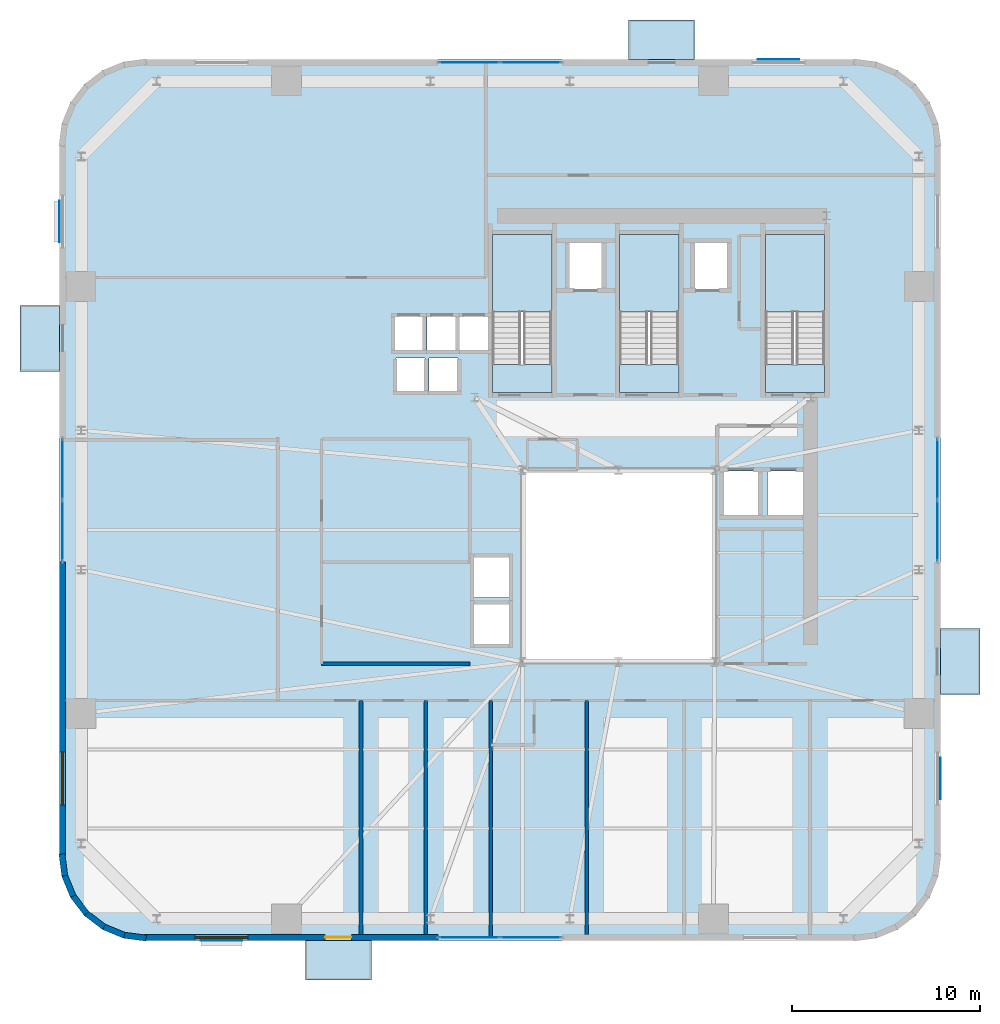
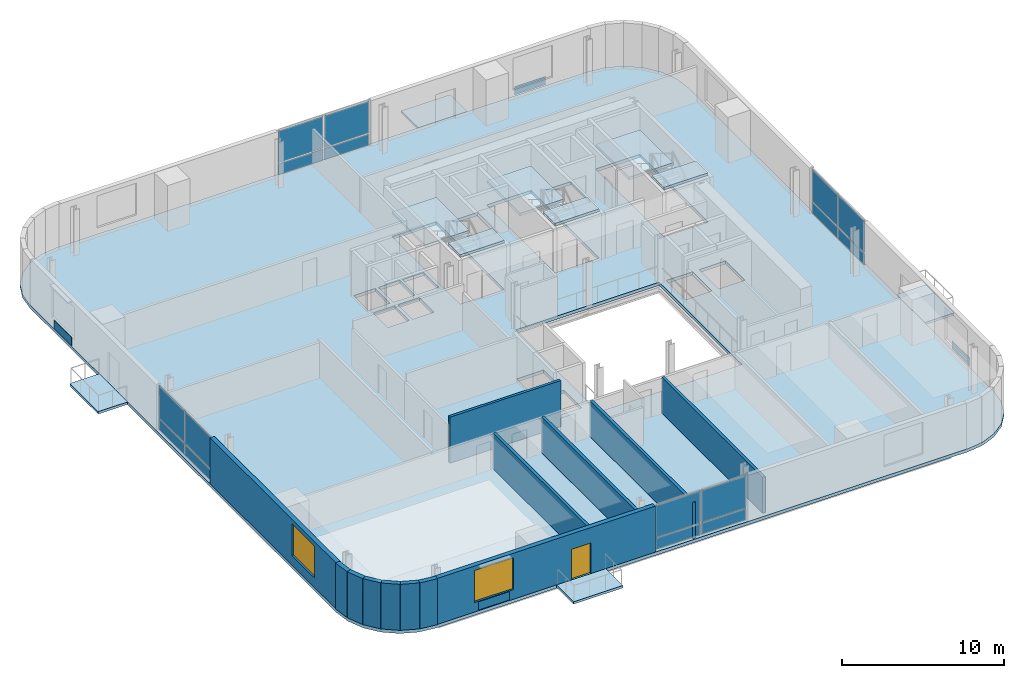
# One storey, part 5 of 14: 20 plates, 13 walls, 11 slabs, 2 windows, 1 door, 3 openings, 7 elements without a shape of their own.
"""IFC4 building model written with IfcOpenShell, lengths in metres."""

from ifc_helpers import new_model, si_unit, direction, frame, frame_2d, origin, origin_2d, place, context, subcontext, project, spatial, polyline, rectangle, outline, extrude, source, transform, mapped, material, layer, layer_set, type_object, element, fill, aggregate, save


model = new_model("IFC4")

# Units and contexts
model_context = context("Model", 3, precision=1e-05, world=origin(), true_north=direction((0.0, 1.0)))
body_context = subcontext(model_context, "Body", "Model", "MODEL_VIEW")
ifc_project = project(units=[si_unit("LENGTHUNIT", "METRE"), si_unit("AREAUNIT", "SQUARE_METRE"), si_unit("VOLUMEUNIT", "CUBIC_METRE"), si_unit("PLANEANGLEUNIT", "RADIAN"), si_unit("MASSUNIT", "GRAM", prefix="KILO")], contexts=[model_context])

# Site, building, storey
site_placement = place(None, origin())
site = spatial("IfcSite", under=ifc_project, at=site_placement, CompositionType="ELEMENT")
building_placement = place(site_placement, origin())
building = spatial("IfcBuilding", under=site, at=building_placement, Name="Vardaveli Station Tower", CompositionType="ELEMENT")
storey_placement = place(building_placement, frame((0.0, 0.0, 111.300048828125)))
storey = spatial("IfcBuildingStorey", under=building, at=storey_placement, Name="L28", CompositionType="ELEMENT", Elevation=111.300048828125)

# Stair, slabs
ifc_material_1 = material(Name="Concrete C40/50", Category="concrete")
stair_type = type_object("IfcStairType", Name="STR-CORE-1500", PredefinedType="HALF_TURN_STAIR", material=ifc_material_1)
stair_1_placement = place(storey_placement, origin())
stair_1 = element("IfcStair", 1, at=stair_1_placement, inside=storey, type_object=stair_type, Name="L28 ST-1", PredefinedType="HALF_TURN_STAIR")
ifc_layer_1 = layer(ifc_material_1, 0.199951171875, Name="Concrete C40/50")
ifc_layer_set_1 = layer_set([ifc_layer_1], Name="Concrete C40/50")
slab_type_1 = type_object("IfcSlabType", Name="SLB-LAND-200", PredefinedType="LANDING", material=ifc_layer_set_1)
slab_1_placement = place(storey_placement, frame((0.0, 0.0, 1.64990234375)))
slab_1 = element("IfcSlab", 2, at=slab_1_placement, type_object=slab_type_1, Name="ST-1 landing 1", PredefinedType="LANDING", context=body_context, shape_type="SweptSolid", body=[
    extrude(outline(polyline([(32.75, 35.199951171875), (32.75, 39.300048828125), (29.60009765625, 39.300048828125), (29.60009765625, 35.199951171875), (32.75, 35.199951171875)])), origin(), (0.0, 0.0, 1.0), 0.199951171875),
])
slab_2_placement = place(storey_placement, frame((0.0, 0.0, 3.5)))
slab_2 = element("IfcSlab", 3, at=slab_2_placement, type_object=slab_type_1, Name="ST-1 landing 2", PredefinedType="LANDING", context=body_context, shape_type="SweptSolid", body=[
    extrude(outline(polyline([(32.75, 30.89990234375), (32.75, 32.39990234375), (29.60009765625, 32.39990234375), (29.60009765625, 30.89990234375), (32.75, 30.89990234375)])), origin(), (0.0, 0.0, 1.0), 0.199951171875),
])
aggregate(stair_1, [slab_1, slab_2])

stair_2_placement = place(storey_placement, origin())
stair_2 = element("IfcStair", 4, at=stair_2_placement, inside=storey, type_object=stair_type, Name="L28 ST-2", PredefinedType="HALF_TURN_STAIR")
slab_3_placement = place(storey_placement, frame((0.0, 0.0, 1.64990234375)))
slab_3 = element("IfcSlab", 5, at=slab_3_placement, type_object=slab_type_1, Name="ST-2 landing 1", PredefinedType="LANDING", context=body_context, shape_type="SweptSolid", body=[
    extrude(outline(polyline([(39.5, 35.199951171875), (39.5, 39.300048828125), (36.35009765625, 39.300048828125), (36.35009765625, 35.199951171875), (39.5, 35.199951171875)])), origin(), (0.0, 0.0, 1.0), 0.199951171875),
])
slab_4_placement = place(storey_placement, frame((0.0, 0.0, 3.5)))
slab_4 = element("IfcSlab", 6, at=slab_4_placement, type_object=slab_type_1, Name="ST-2 landing 2", PredefinedType="LANDING", context=body_context, shape_type="SweptSolid", body=[
    extrude(outline(polyline([(39.5, 30.89990234375), (39.5, 32.39990234375), (36.35009765625, 32.39990234375), (36.35009765625, 30.89990234375), (39.5, 30.89990234375)])), origin(), (0.0, 0.0, 1.0), 0.199951171875),
])
aggregate(stair_2, [slab_3, slab_4])

stair_3_placement = place(storey_placement, origin())
stair_3 = element("IfcStair", 7, at=stair_3_placement, inside=storey, type_object=stair_type, Name="L28 ST-3", PredefinedType="HALF_TURN_STAIR")
slab_5_placement = place(storey_placement, frame((0.0, 0.0, 1.64990234375)))
slab_5 = element("IfcSlab", 8, at=slab_5_placement, type_object=slab_type_1, Name="ST-3 landing 1", PredefinedType="LANDING", context=body_context, shape_type="SweptSolid", body=[
    extrude(outline(polyline([(47.25, 35.199951171875), (47.25, 39.300048828125), (44.10009765625, 39.300048828125), (44.10009765625, 35.199951171875), (47.25, 35.199951171875)])), origin(), (0.0, 0.0, 1.0), 0.199951171875),
])
slab_6_placement = place(storey_placement, frame((0.0, 0.0, 3.5)))
slab_6 = element("IfcSlab", 9, at=slab_6_placement, type_object=slab_type_1, Name="ST-3 landing 2", PredefinedType="LANDING", context=body_context, shape_type="SweptSolid", body=[
    extrude(outline(polyline([(47.25, 30.89990234375), (47.25, 32.39990234375), (44.10009765625, 32.39990234375), (44.10009765625, 30.89990234375), (47.25, 30.89990234375)])), origin(), (0.0, 0.0, 1.0), 0.199951171875),
])
aggregate(stair_3, [slab_5, slab_6])

# Slabs
ifc_material_2 = material(Name="Precast concrete C45/55", Category="concrete")
ifc_layer_2 = layer(ifc_material_2, 0.179931640625, Name="Precast concrete C45/55")
ifc_layer_set_2 = layer_set([ifc_layer_2], Name="Precast concrete C45/55")
slab_type_2 = type_object("IfcSlabType", Name="SLB-LOGGIA-180", PredefinedType="FLOOR", material=ifc_layer_set_2)
slab_7_placement = place(storey_placement, frame((0.0, 0.0, -0.179931640625)))
element("IfcSlab", 10, at=slab_7_placement, inside=storey, type_object=slab_type_2, Name="LOG-L28-S", PredefinedType="FLOOR", context=body_context, shape_type="SweptSolid", body=[
    extrude(outline(polyline([(19.660400390625, -0.300048828125), (23.160400390625, -0.300048828125), (23.160400390625, 1.800048828125), (19.660400390625, 1.800048828125), (19.660400390625, -0.300048828125)])), origin(), (0.0, 0.0, 1.0), 0.179931640625),
])
slab_8_placement = place(storey_placement, frame((0.0, 0.0, -0.179931640625)))
element("IfcSlab", 11, at=slab_8_placement, inside=storey, type_object=slab_type_2, Name="LOG-L28-N", PredefinedType="FLOOR", context=body_context, shape_type="SweptSolid", body=[
    extrude(outline(polyline([(36.839599609375, 48.60009765625), (40.339599609375, 48.60009765625), (40.339599609375, 50.699951171875), (36.839599609375, 50.699951171875), (36.839599609375, 48.60009765625)])), origin(), (0.0, 0.0, 1.0), 0.179931640625),
])
slab_9_placement = place(storey_placement, frame((0.0, 0.0, -0.179931640625)))
element("IfcSlab", 12, at=slab_9_placement, inside=storey, type_object=slab_type_2, Name="LOG-L28-W", PredefinedType="FLOOR", context=body_context, shape_type="SweptSolid", body=[
    extrude(outline(polyline([(4.5, 32.03955078125), (6.60009765625, 32.03955078125), (6.60009765625, 35.53955078125), (4.5, 35.53955078125), (4.5, 32.03955078125)])), origin(), (0.0, 0.0, 1.0), 0.179931640625),
])
slab_10_placement = place(storey_placement, frame((0.0, 0.0, -0.179931640625)))
element("IfcSlab", 13, at=slab_10_placement, inside=storey, type_object=slab_type_2, Name="LOG-L28-E", PredefinedType="FLOOR", context=body_context, shape_type="SweptSolid", body=[
    extrude(outline(polyline([(53.39990234375, 14.8603515625), (55.5, 14.8603515625), (55.5, 18.3603515625), (53.39990234375, 18.3603515625), (53.39990234375, 14.8603515625)])), origin(), (0.0, 0.0, 1.0), 0.179931640625),
])
ifc_layer_3 = layer(ifc_material_1, 0.239990234375, Name="Concrete C40/50")
ifc_layer_set_3 = layer_set([ifc_layer_3], Name="Concrete C40/50")
slab_type_3 = type_object("IfcSlabType", Name="SLB-TOW-240", PredefinedType="FLOOR", material=ifc_layer_set_3)
slab_11_placement = place(storey_placement, frame((0.0, 0.0, -0.239990234375)))
element("IfcSlab", 14, at=slab_11_placement, inside=storey, type_object=slab_type_3, Name="SLB-L28-MAIN", PredefinedType="FLOOR", context=body_context, shape_type="SweptSolid", body=[
    extrude(outline(polyline([(6.60009765625, 6.300048828125), (6.75341796875, 5.13525390625), (7.202880859375, 4.050048828125), (7.91796875, 3.117919921875), (8.85009765625, 2.40283203125), (9.935302734375, 1.953369140625), (11.10009765625, 1.800048828125), (48.89990234375, 1.800048828125), (50.064697265625, 1.953369140625), (51.14990234375, 2.40283203125), (52.08203125, 3.117919921875), (52.797119140625, 4.050048828125), (53.24658203125, 5.13525390625), (53.39990234375, 6.300048828125), (53.39990234375, 44.10009765625), (53.24658203125, 45.2646484375), (52.797119140625, 46.35009765625), (52.08203125, 47.281982421875), (51.14990234375, 47.9970703125), (50.064697265625, 48.44677734375), (48.89990234375, 48.60009765625), (11.10009765625, 48.60009765625), (9.935302734375, 48.44677734375), (8.85009765625, 47.9970703125), (7.91796875, 47.281982421875), (7.202880859375, 46.35009765625), (6.75341796875, 45.2646484375), (6.60009765625, 44.10009765625), (6.60009765625, 6.300048828125)]), holes=[polyline([(31.199951171875, 16.60009765625), (41.39990234375, 16.60009765625), (41.39990234375, 26.800048828125), (31.199951171875, 26.800048828125), (31.199951171875, 16.60009765625)]), polyline([(32.75, 30.89990234375), (32.75, 39.300048828125), (29.60009765625, 39.300048828125), (29.60009765625, 30.89990234375), (32.75, 30.89990234375)]), polyline([(39.5, 30.89990234375), (39.5, 39.300048828125), (36.35009765625, 39.300048828125), (36.35009765625, 30.89990234375), (39.5, 30.89990234375)]), polyline([(47.25, 30.89990234375), (47.25, 39.300048828125), (44.10009765625, 39.300048828125), (44.10009765625, 30.89990234375), (47.25, 30.89990234375)]), polyline([(24.385009765625, 33.135009765625), (25.9150390625, 33.135009765625), (25.9150390625, 34.965087890625), (24.385009765625, 34.965087890625), (24.385009765625, 33.135009765625)]), polyline([(26.135009765625, 33.135009765625), (27.6650390625, 33.135009765625), (27.6650390625, 34.965087890625), (26.135009765625, 34.965087890625), (26.135009765625, 33.135009765625)]), polyline([(27.8349609375, 33.135009765625), (29.364990234375, 33.135009765625), (29.364990234375, 34.965087890625), (27.8349609375, 34.965087890625), (27.8349609375, 33.135009765625)]), polyline([(33.659912109375, 36.409912109375), (35.43994140625, 36.409912109375), (35.43994140625, 38.889892578125), (33.659912109375, 38.889892578125), (33.659912109375, 36.409912109375)]), polyline([(40.31005859375, 36.409912109375), (42.090087890625, 36.409912109375), (42.090087890625, 38.889892578125), (40.31005859375, 38.889892578125), (40.31005859375, 36.409912109375)]), polyline([(24.485107421875, 30.9599609375), (26.014892578125, 30.9599609375), (26.014892578125, 32.739990234375), (24.485107421875, 32.739990234375), (24.485107421875, 30.9599609375)]), polyline([(26.235107421875, 30.9599609375), (27.764892578125, 30.9599609375), (27.764892578125, 32.739990234375), (26.235107421875, 32.739990234375), (26.235107421875, 30.9599609375)]), polyline([(28.5849609375, 17.510009765625), (30.514892578125, 17.510009765625), (30.514892578125, 19.68994140625), (28.5849609375, 19.68994140625), (28.5849609375, 17.510009765625)]), polyline([(28.5849609375, 20.010009765625), (30.514892578125, 20.010009765625), (30.514892578125, 22.18994140625), (28.5849609375, 22.18994140625), (28.5849609375, 20.010009765625)]), polyline([(41.860107421875, 24.360107421875), (43.739990234375, 24.360107421875), (43.739990234375, 26.739990234375), (41.860107421875, 26.739990234375), (41.860107421875, 24.360107421875)]), polyline([(44.2099609375, 24.360107421875), (46.090087890625, 24.360107421875), (46.090087890625, 26.739990234375), (44.2099609375, 26.739990234375), (44.2099609375, 24.360107421875)])]), origin(), (0.0, 0.0, 1.0), 0.239990234375),
])

# Curtain wall, plates
ifc_material_3 = material(Name="Travertine stone and solar-control glass", Category="masonry")
curtain_wall_type = type_object("IfcCurtainWallType", Name="CW-SYS-2", PredefinedType="NOTDEFINED", material=ifc_material_3)
curtain_wall_1_placement = place(storey_placement, origin())
curtain_wall_1 = element("IfcCurtainWall", 15, at=curtain_wall_1_placement, inside=storey, type_object=curtain_wall_type, Name="CW-L28-S", PredefinedType="NOTDEFINED")
ifc_material_4 = material(Name="Double-glazed low-E solar-control glass", Category="glass")
ifc_layer_4 = layer(ifc_material_4, 0.035888671875, Name="Double-glazed low-E solar-control glass")
ifc_layer_set_4 = layer_set([ifc_layer_4], Name="Double-glazed low-E solar-control glass")
plate_type_1 = type_object("IfcPlateType", Name="CW-SYS-2-PAN", PredefinedType="CURTAIN_PANEL", material=ifc_layer_set_4)
shared_shape_1 = source(origin(), body_context, "Body", "SweptSolid", [
    extrude(rectangle(XDim=3.172607421875, YDim=0.035888671875, at=origin_2d()), origin(), (0.0, 0.0, 1.0), 0.822509765625),
])
plate_1_placement = place(storey_placement, frame((28.371337890625, 1.9599609375, 0.0849609375), z_axis=(0.0, 0.0, 1.0), x_axis=(1.0, 0.0, 0.0)))
plate_1 = element("IfcPlate", 16, at=plate_1_placement, type_object=plate_type_1, Name="CW-2 panel 1.1", PredefinedType="CURTAIN_PANEL", context=body_context, shape_type="MappedRepresentation", body=[
    mapped(shared_shape_1, transform((0.0, 0.0, 0.0), scale=1.0)),
])
plate_2_placement = place(storey_placement, frame((31.628662109375, 1.9599609375, 0.0849609375), z_axis=(0.0, 0.0, 1.0), x_axis=(1.0, 0.0, 0.0)))
plate_2 = element("IfcPlate", 17, at=plate_2_placement, type_object=plate_type_1, Name="CW-2 panel 2.1", PredefinedType="CURTAIN_PANEL", context=body_context, shape_type="MappedRepresentation", body=[
    mapped(shared_shape_1, transform((0.0, 0.0, 0.0), scale=1.0)),
])

curtain_wall_2_placement = place(storey_placement, origin())
curtain_wall_2 = element("IfcCurtainWall", 18, at=curtain_wall_2_placement, inside=storey, type_object=curtain_wall_type, Name="CW-L28-N", PredefinedType="NOTDEFINED")
plate_3_placement = place(storey_placement, frame((31.628662109375, 48.43994140625, 0.0849609375), z_axis=(0.0, 0.0, 1.0), x_axis=(-1.0, 0.0, 0.0)))
plate_3 = element("IfcPlate", 19, at=plate_3_placement, type_object=plate_type_1, Name="CW-2 panel 1.1", PredefinedType="CURTAIN_PANEL", context=body_context, shape_type="MappedRepresentation", body=[
    mapped(shared_shape_1, transform((0.0, 0.0, 0.0), scale=1.0)),
])
plate_4_placement = place(storey_placement, frame((28.371337890625, 48.43994140625, 0.0849609375), z_axis=(0.0, 0.0, 1.0), x_axis=(-1.0, 0.0, 0.0)))
plate_4 = element("IfcPlate", 20, at=plate_4_placement, type_object=plate_type_1, Name="CW-2 panel 2.1", PredefinedType="CURTAIN_PANEL", context=body_context, shape_type="MappedRepresentation", body=[
    mapped(shared_shape_1, transform((0.0, 0.0, 0.0), scale=1.0)),
])

curtain_wall_3_placement = place(storey_placement, origin())
curtain_wall_3 = element("IfcCurtainWall", 21, at=curtain_wall_3_placement, inside=storey, type_object=curtain_wall_type, Name="CW-L28-W", PredefinedType="NOTDEFINED")
plate_5_placement = place(storey_placement, frame((6.760009765625, 26.828857421875, 0.0849609375), z_axis=(0.0, 0.0, 1.0), x_axis=(0.0, -1.0, 0.0)))
plate_5 = element("IfcPlate", 22, at=plate_5_placement, type_object=plate_type_1, Name="CW-2 panel 1.1", PredefinedType="CURTAIN_PANEL", context=body_context, shape_type="MappedRepresentation", body=[
    mapped(shared_shape_1, transform((0.0, 0.0, 0.0), scale=1.0)),
])
plate_6_placement = place(storey_placement, frame((6.760009765625, 23.5712890625, 0.0849609375), z_axis=(0.0, 0.0, 1.0), x_axis=(0.0, -1.0, 0.0)))
plate_6 = element("IfcPlate", 23, at=plate_6_placement, type_object=plate_type_1, Name="CW-2 panel 2.1", PredefinedType="CURTAIN_PANEL", context=body_context, shape_type="MappedRepresentation", body=[
    mapped(shared_shape_1, transform((0.0, 0.0, 0.0), scale=1.0)),
])

curtain_wall_4_placement = place(storey_placement, origin())
curtain_wall_4 = element("IfcCurtainWall", 24, at=curtain_wall_4_placement, inside=storey, type_object=curtain_wall_type, Name="CW-L28-E", PredefinedType="NOTDEFINED")
plate_7_placement = place(storey_placement, frame((53.239990234375, 23.5712890625, 0.0849609375), z_axis=(0.0, 0.0, 1.0), x_axis=(0.0, 1.0, 0.0)))
plate_7 = element("IfcPlate", 25, at=plate_7_placement, type_object=plate_type_1, Name="CW-2 panel 1.1", PredefinedType="CURTAIN_PANEL", context=body_context, shape_type="MappedRepresentation", body=[
    mapped(shared_shape_1, transform((0.0, 0.0, 0.0), scale=1.0)),
])
plate_8_placement = place(storey_placement, frame((53.239990234375, 26.828857421875, 0.0849609375), z_axis=(0.0, 0.0, 1.0), x_axis=(0.0, 1.0, 0.0)))
plate_8 = element("IfcPlate", 26, at=plate_8_placement, type_object=plate_type_1, Name="CW-2 panel 2.1", PredefinedType="CURTAIN_PANEL", context=body_context, shape_type="MappedRepresentation", body=[
    mapped(shared_shape_1, transform((0.0, 0.0, 0.0), scale=1.0)),
])

# Plates
ifc_material_5 = material(Name="Honed Caucasian travertine stone", Category="masonry")
ifc_layer_5 = layer(ifc_material_5, 0.034912109375, Name="Honed Caucasian travertine stone")
ifc_layer_set_5 = layer_set([ifc_layer_5], Name="Honed Caucasian travertine stone")
plate_type_2 = type_object("IfcPlateType", Name="PLT-TRAV-35", PredefinedType="SHEET", material=ifc_layer_set_5)
shared_shape_2 = source(origin(), body_context, "Body", "SweptSolid", [
    extrude(rectangle(XDim=2.199951171875, YDim=0.034912109375, at=origin_2d()), origin(), (0.0, 0.0, 1.0), 0.6201171875),
])
for number, where, z_axis, x_axis, name in (
    (27, (15.205078125, 1.79052734375, 0.06982421875), (0.0, 0.0, 1.0), (1.0, 0.0, 0.0), "PLT-TR-L28-S"),
    (28, (44.794921875, 48.609619140625, 0.06982421875), (0.0, 0.0, 1.0), (1.0, 0.0, 0.0), "PLT-TR-L28-N"),
    (29, (6.590576171875, 39.9951171875, 0.06982421875), (0.0, 0.0, 1.0), (0.0, 1.0, 0.0), "PLT-TR-L28-W"),
    (30, (53.409423828125, 10.405029296875, 0.06982421875), (0.0, 0.0, 1.0), (0.0, 1.0, 0.0), "PLT-TR-L28-E"),
):
    element("IfcPlate", number, at=place(storey_placement, frame(where, z_axis=z_axis, x_axis=x_axis)), inside=storey, type_object=plate_type_2, Name=name, PredefinedType="SHEET", context=body_context, shape_type="MappedRepresentation", body=[
        mapped(shared_shape_2, transform((0.0, 0.0, 0.0), scale=1.0)),
    ])

# Plate
shared_shape_3 = source(origin(), body_context, "Body", "SweptSolid", [
    extrude(rectangle(XDim=3.172607421875, YDim=0.035888671875, at=origin_2d()), origin(), (0.0, 0.0, 1.0), 2.382568359375),
])
plate_9_placement = place(storey_placement, frame((28.371337890625, 1.9599609375, 0.9921875), z_axis=(0.0, 0.0, 1.0), x_axis=(1.0, 0.0, 0.0)))
plate_9 = element("IfcPlate", 31, at=plate_9_placement, type_object=plate_type_1, Name="CW-2 panel 1.2", PredefinedType="CURTAIN_PANEL", context=body_context, shape_type="MappedRepresentation", body=[
    mapped(shared_shape_3, transform((0.0, 0.0, 0.0), scale=1.0)),
])

plate_10_placement = place(storey_placement, frame((31.628662109375, 1.9599609375, 0.9921875), z_axis=(0.0, 0.0, 1.0), x_axis=(1.0, 0.0, 0.0)))
plate_10 = element("IfcPlate", 32, at=plate_10_placement, type_object=plate_type_1, Name="CW-2 panel 2.2", PredefinedType="CURTAIN_PANEL", context=body_context, shape_type="MappedRepresentation", body=[
    mapped(shared_shape_3, transform((0.0, 0.0, 0.0), scale=1.0)),
])

aggregate(curtain_wall_1, [plate_1, plate_9, plate_2, plate_10])

plate_11_placement = place(storey_placement, frame((31.628662109375, 48.43994140625, 0.9921875), z_axis=(0.0, 0.0, 1.0), x_axis=(-1.0, 0.0, 0.0)))
plate_11 = element("IfcPlate", 33, at=plate_11_placement, type_object=plate_type_1, Name="CW-2 panel 1.2", PredefinedType="CURTAIN_PANEL", context=body_context, shape_type="MappedRepresentation", body=[
    mapped(shared_shape_3, transform((0.0, 0.0, 0.0), scale=1.0)),
])

plate_12_placement = place(storey_placement, frame((28.371337890625, 48.43994140625, 0.9921875), z_axis=(0.0, 0.0, 1.0), x_axis=(-1.0, 0.0, 0.0)))
plate_12 = element("IfcPlate", 34, at=plate_12_placement, type_object=plate_type_1, Name="CW-2 panel 2.2", PredefinedType="CURTAIN_PANEL", context=body_context, shape_type="MappedRepresentation", body=[
    mapped(shared_shape_3, transform((0.0, 0.0, 0.0), scale=1.0)),
])

aggregate(curtain_wall_2, [plate_3, plate_11, plate_4, plate_12])

plate_13_placement = place(storey_placement, frame((6.760009765625, 26.828857421875, 0.9921875), z_axis=(0.0, 0.0, 1.0), x_axis=(0.0, -1.0, 0.0)))
plate_13 = element("IfcPlate", 35, at=plate_13_placement, type_object=plate_type_1, Name="CW-2 panel 1.2", PredefinedType="CURTAIN_PANEL", context=body_context, shape_type="MappedRepresentation", body=[
    mapped(shared_shape_3, transform((0.0, 0.0, 0.0), scale=1.0)),
])

plate_14_placement = place(storey_placement, frame((6.760009765625, 23.5712890625, 0.9921875), z_axis=(0.0, 0.0, 1.0), x_axis=(0.0, -1.0, 0.0)))
plate_14 = element("IfcPlate", 36, at=plate_14_placement, type_object=plate_type_1, Name="CW-2 panel 2.2", PredefinedType="CURTAIN_PANEL", context=body_context, shape_type="MappedRepresentation", body=[
    mapped(shared_shape_3, transform((0.0, 0.0, 0.0), scale=1.0)),
])

aggregate(curtain_wall_3, [plate_5, plate_13, plate_6, plate_14])

plate_15_placement = place(storey_placement, frame((53.239990234375, 23.5712890625, 0.9921875), z_axis=(0.0, 0.0, 1.0), x_axis=(0.0, 1.0, 0.0)))
plate_15 = element("IfcPlate", 37, at=plate_15_placement, type_object=plate_type_1, Name="CW-2 panel 1.2", PredefinedType="CURTAIN_PANEL", context=body_context, shape_type="MappedRepresentation", body=[
    mapped(shared_shape_3, transform((0.0, 0.0, 0.0), scale=1.0)),
])

plate_16_placement = place(storey_placement, frame((53.239990234375, 26.828857421875, 0.9921875), z_axis=(0.0, 0.0, 1.0), x_axis=(0.0, 1.0, 0.0)))
plate_16 = element("IfcPlate", 38, at=plate_16_placement, type_object=plate_type_1, Name="CW-2 panel 2.2", PredefinedType="CURTAIN_PANEL", context=body_context, shape_type="MappedRepresentation", body=[
    mapped(shared_shape_3, transform((0.0, 0.0, 0.0), scale=1.0)),
])

aggregate(curtain_wall_4, [plate_7, plate_15, plate_8, plate_16])

# Wall, openings, door, window
ifc_layer_6 = layer(ifc_material_2, 0.320068359375, Name="Precast concrete C45/55")
ifc_layer_set_6 = layer_set([ifc_layer_6], Name="Precast concrete C45/55")
wall_type_1 = type_object("IfcWallType", Name="WAL-EXT-STONE-320", PredefinedType="SOLIDWALL", material=ifc_layer_set_6)
shared_shape_4 = source(origin(), body_context, "Body", "SweptSolid", [
    extrude(rectangle(XDim=15.599853515625, YDim=0.320068359375, at=frame_2d((7.7998046875, 0.0))), origin(), (0.0, 0.0, 1.0), 3.4599609375),
])
wall_1_placement = place(storey_placement, frame((11.10009765625, 1.9599609375, 0.0), z_axis=(0.0, 0.0, 1.0), x_axis=(1.0, 0.0, 0.0)))
wall_1 = element("IfcWall", 39, at=wall_1_placement, inside=storey, type_object=wall_type_1, Name="EW-L28-S1", PredefinedType="SOLIDWALL", context=body_context, shape_type="MappedRepresentation", body=[
    mapped(shared_shape_4, transform((0.0, 0.0, 0.0), scale=1.0)),
])
shared_shape_5 = source(origin(), body_context, "Body", "SweptSolid", [
    extrude(rectangle(XDim=1.39990234375, YDim=2.300048828125, at=frame_2d((0.699951171875, 1.14990234375))), frame((0.0, 0.169921875, 0.0), z_axis=(0.0, -1.0, 0.0), x_axis=(1.0, 0.0, 0.0)), (0.0, 0.0, 1.0), 0.340087890625),
])
opening_1_placement = place(wall_1_placement, frame((9.6103515625, 0.0, 0.0)))
opening_1 = element("IfcOpeningElement", 40, at=opening_1_placement, cuts=wall_1, Name="Opening D-09", PredefinedType="OPENING", context=body_context, shape_type="MappedRepresentation", body=[
    mapped(shared_shape_5, transform((0.0, 0.0, 0.0), scale=1.0)),
])
shared_shape_6 = source(origin(), body_context, "Body", "SweptSolid", [
    extrude(rectangle(XDim=2.800048828125, YDim=2.39990234375, at=frame_2d((1.39990234375, 1.199951171875))), frame((0.0, 0.169921875, 0.0), z_axis=(0.0, -1.0, 0.0), x_axis=(1.0, 0.0, 0.0)), (0.0, 0.0, 1.0), 0.340087890625),
])
opening_2_placement = place(wall_1_placement, frame((2.705078125, 0.0, 0.719970703125)))
opening_2 = element("IfcOpeningElement", 41, at=opening_2_placement, cuts=wall_1, Name="Opening W-04", PredefinedType="OPENING", context=body_context, shape_type="MappedRepresentation", body=[
    mapped(shared_shape_6, transform((0.0, 0.0, 0.0), scale=1.0)),
])
ifc_material_6 = material(Name="Thermally broken aluminium glass", Category="aluminium")
door_type = type_object("IfcDoorType", Name="DR-LOG-1400x2300", OperationType="DOUBLE_DOOR_SLIDING", PredefinedType="DOOR", material=ifc_material_6)
shared_shape_7 = source(origin(), body_context, "Body", "SweptSolid", [
    extrude(rectangle(XDim=1.39990234375, YDim=2.300048828125, at=frame_2d((0.699951171875, 1.14990234375))), frame((0.0, 0.02490234375, 0.0), z_axis=(0.0, -1.0, 0.0), x_axis=(1.0, 0.0, 0.0)), (0.0, 0.0, 1.0), 0.050048828125),
])
door_placement = place(opening_1_placement, frame((1.39990234375, 0.0, 0.0), z_axis=(0.0, 0.0, 1.0), x_axis=(-1.0, 0.0, 0.0)))
door = element("IfcDoor", 42, at=door_placement, inside=storey, type_object=door_type, Name="DLG-L28-S", OperationType="DOUBLE_DOOR_SLIDING", OverallHeight=2.300048828125, OverallWidth=1.39990234375, PredefinedType="DOOR", context=body_context, shape_type="MappedRepresentation", body=[
    mapped(shared_shape_7, transform((0.0, 0.0, 0.0), scale=1.0)),
])
fill(opening_1, door)
ifc_material_7 = material(Name="Low-E solar-control glass", Category="glass")
window_type = type_object("IfcWindowType", Name="WIN-SUITE-2800x2400", PartitioningType="SINGLE_PANEL", PredefinedType="WINDOW", material=ifc_material_7)
shared_shape_8 = source(origin(), body_context, "Body", "SweptSolid", [
    extrude(rectangle(XDim=2.800048828125, YDim=2.39990234375, at=frame_2d((1.39990234375, 1.199951171875))), frame((0.0, 0.030029296875, 0.0), z_axis=(0.0, -1.0, 0.0), x_axis=(1.0, 0.0, 0.0)), (0.0, 0.0, 1.0), 0.06005859375),
])
window_1_placement = place(opening_2_placement, origin())
window_1 = element("IfcWindow", 43, at=window_1_placement, inside=storey, type_object=window_type, Name="WN-L28-S1", OverallHeight=2.39990234375, OverallWidth=2.800048828125, PartitioningType="SINGLE_PANEL", PredefinedType="WINDOW", context=body_context, shape_type="MappedRepresentation", body=[
    mapped(shared_shape_8, transform((0.0, 0.0, 0.0), scale=1.0)),
])
fill(opening_2, window_1)

# Wall, opening, window
wall_2_placement = place(storey_placement, frame((6.760009765625, 21.89990234375, 0.0), z_axis=(0.0, 0.0, 1.0), x_axis=(0.0, -1.0, 0.0)))
wall_2 = element("IfcWall", 44, at=wall_2_placement, inside=storey, type_object=wall_type_1, Name="EW-L28-W2", PredefinedType="SOLIDWALL", context=body_context, shape_type="MappedRepresentation", body=[
    mapped(shared_shape_4, transform((0.0, 0.0, 0.0), scale=1.0)),
])
opening_3_placement = place(wall_2_placement, frame((10.094970703125, 0.0, 0.719970703125)))
opening_3 = element("IfcOpeningElement", 45, at=opening_3_placement, cuts=wall_2, Name="Opening W-04", PredefinedType="OPENING", context=body_context, shape_type="MappedRepresentation", body=[
    mapped(shared_shape_6, transform((0.0, 0.0, 0.0), scale=1.0)),
])
window_2_placement = place(opening_3_placement, origin())
window_2 = element("IfcWindow", 46, at=window_2_placement, inside=storey, type_object=window_type, Name="WN-L28-W2", OverallHeight=2.39990234375, OverallWidth=2.800048828125, PartitioningType="SINGLE_PANEL", PredefinedType="WINDOW", context=body_context, shape_type="MappedRepresentation", body=[
    mapped(shared_shape_8, transform((0.0, 0.0, 0.0), scale=1.0)),
])
fill(opening_3, window_2)

# Walls
shared_shape_9 = source(origin(), body_context, "Body", "SweptSolid", [
    extrude(rectangle(XDim=1.170654296875, YDim=0.320068359375, at=frame_2d((0.58544921875, 0.0))), origin(), (0.0, 0.0, 1.0), 3.4599609375),
])
wall_3_placement = place(storey_placement, frame((6.724365234375, 6.400634765625, 0.0), z_axis=(0.0, 0.0, 1.0), x_axis=(0.128269133229, -0.991739395941, 0.0)))
element("IfcWall", 47, at=wall_3_placement, inside=storey, type_object=wall_type_1, Name="EW-L28-CR1-1", PredefinedType="SOLIDWALL", context=body_context, shape_type="MappedRepresentation", body=[
    mapped(shared_shape_9, transform((0.0, 0.0, 0.0), scale=1.0)),
])
shared_shape_10 = source(origin(), body_context, "Body", "SweptSolid", [
    extrude(rectangle(XDim=1.1689453125, YDim=0.320068359375, at=frame_2d((0.58447265625, 0.0))), origin(), (0.0, 0.0, 1.0), 3.4599609375),
])
for number, where, z_axis, x_axis, name in (
    (48, (6.87451171875, 5.23974609375, 0.0), (0.0, 0.0, 1.0), (0.381127904695, -0.924522320046, 0.0), "EW-L28-CR1-2"),
    (49, (7.320068359375, 4.158935546875, 0.0), (0.0, 0.0, 1.0), (0.608387696831, -0.793639975269, 0.0), "EW-L28-CR1-3"),
):
    element("IfcWall", number, at=place(storey_placement, frame(where, z_axis=z_axis, x_axis=x_axis)), inside=storey, type_object=wall_type_1, Name=name, PredefinedType="SOLIDWALL", context=body_context, shape_type="MappedRepresentation", body=[
        mapped(shared_shape_10, transform((0.0, 0.0, 0.0), scale=1.0)),
    ])
shared_shape_11 = source(origin(), body_context, "Body", "SweptSolid", [
    extrude(rectangle(XDim=1.168701171875, YDim=0.320068359375, at=frame_2d((0.58447265625, 0.0))), origin(), (0.0, 0.0, 1.0), 3.4599609375),
])
wall_4_placement = place(storey_placement, frame((8.03125, 3.231201171875, 0.0), z_axis=(0.0, 0.0, 1.0), x_axis=(0.793663520347, -0.608356981114, 0.0)))
element("IfcWall", 50, at=wall_4_placement, inside=storey, type_object=wall_type_1, Name="EW-L28-CR1-4", PredefinedType="SOLIDWALL", context=body_context, shape_type="MappedRepresentation", body=[
    mapped(shared_shape_11, transform((0.0, 0.0, 0.0), scale=1.0)),
])
shared_shape_12 = source(origin(), body_context, "Body", "SweptSolid", [
    extrude(rectangle(XDim=1.16943359375, YDim=0.320068359375, at=frame_2d((0.584716796875, 0.0))), origin(), (0.0, 0.0, 1.0), 3.4599609375),
])
wall_5_placement = place(storey_placement, frame((8.958740234375, 2.520263671875, 0.0), z_axis=(0.0, 0.0, 1.0), x_axis=(0.924479075121, -0.381232789334, 0.0)))
element("IfcWall", 51, at=wall_5_placement, inside=storey, type_object=wall_type_1, Name="EW-L28-CR1-5", PredefinedType="SOLIDWALL", context=body_context, shape_type="MappedRepresentation", body=[
    mapped(shared_shape_12, transform((0.0, 0.0, 0.0), scale=1.0)),
])
shared_shape_13 = source(origin(), body_context, "Body", "SweptSolid", [
    extrude(rectangle(XDim=1.170166015625, YDim=0.320068359375, at=frame_2d((0.5849609375, 0.0))), origin(), (0.0, 0.0, 1.0), 3.4599609375),
])
wall_6_placement = place(storey_placement, frame((10.039794921875, 2.074462890625, 0.0), z_axis=(0.0, 0.0, 1.0), x_axis=(0.991762485493, -0.128090485085, 0.0)))
element("IfcWall", 52, at=wall_6_placement, inside=storey, type_object=wall_type_1, Name="EW-L28-CR1-6", PredefinedType="SOLIDWALL", context=body_context, shape_type="MappedRepresentation", body=[
    mapped(shared_shape_13, transform((0.0, 0.0, 0.0), scale=1.0)),
])
ifc_material_8 = material(Name="Acoustic twin-stud gypsum partition")
ifc_layer_7 = layer(ifc_material_8, 0.199951171875, Name="Acoustic twin-stud gypsum partition")
ifc_layer_set_7 = layer_set([ifc_layer_7], Name="Acoustic twin-stud gypsum partition")
wall_type_2 = type_object("IfcWallType", Name="WAL-PARTY-200", PredefinedType="PARTITIONING", material=ifc_layer_set_7)
shared_shape_14 = source(origin(), body_context, "Body", "SweptSolid", [
    extrude(rectangle(XDim=12.427978515625, YDim=0.199951171875, at=frame_2d((6.2138671875, 0.0))), origin(), (0.0, 0.0, 1.0), 2.701904296875),
])
for number, where, z_axis, x_axis, name in (
    (53, (22.610107421875, 2.1220703125, 0.0), (0.0, 0.0, 1.0), (0.0, 1.0, 0.0), "W-L28-PS1"),
    (54, (26.06005859375, 2.1220703125, 0.0), (0.0, 0.0, 1.0), (0.0, 1.0, 0.0), "W-L28-PS2"),
    (55, (34.60693359375, 2.1220703125, 0.0), (0.0, 0.0, 1.0), (0.0, 1.0, 0.0), "W-L28-PS4"),
):
    element("IfcWall", number, at=place(storey_placement, frame(where, z_axis=z_axis, x_axis=x_axis)), inside=storey, type_object=wall_type_2, Name=name, PredefinedType="PARTITIONING", context=body_context, shape_type="MappedRepresentation", body=[
        mapped(shared_shape_14, transform((0.0, 0.0, 0.0), scale=1.0)),
    ])
shared_shape_15 = source(origin(), body_context, "Body", "SweptSolid", [
    extrude(rectangle(XDim=12.6201171875, YDim=0.199951171875, at=frame_2d((6.31005859375, 0.0))), origin(), (0.0, 0.0, 1.0), 2.701904296875),
])
wall_7_placement = place(storey_placement, frame((29.510009765625, 1.929931640625, 0.0), z_axis=(0.0, 0.0, 1.0), x_axis=(0.0, 1.0, 0.0)))
element("IfcWall", 56, at=wall_7_placement, inside=storey, type_object=wall_type_2, Name="W-L28-PS3", PredefinedType="PARTITIONING", context=body_context, shape_type="MappedRepresentation", body=[
    mapped(shared_shape_15, transform((0.0, 0.0, 0.0), scale=1.0)),
])
ifc_material_9 = material(Name="Fire-rated gypsum stud partition")
ifc_layer_8 = layer(ifc_material_9, 0.179931640625, Name="Fire-rated gypsum stud partition")
ifc_layer_set_8 = layer_set([ifc_layer_8], Name="Fire-rated gypsum stud partition")
wall_type_3 = type_object("IfcWallType", Name="WAL-CORR-180", PredefinedType="PARTITIONING", material=ifc_layer_set_8)
shared_shape_16 = source(origin(), body_context, "Body", "SweptSolid", [
    extrude(rectangle(XDim=7.8798828125, YDim=0.179931640625, at=frame_2d((3.93994140625, 0.0))), origin(), (0.0, 0.0, 1.0), 3.4599609375),
])
wall_8_placement = place(storey_placement, frame((20.52001953125, 16.5, 0.0), z_axis=(0.0, 0.0, 1.0), x_axis=(1.0, 0.0, 0.0)))
element("IfcWall", 57, at=wall_8_placement, inside=storey, type_object=wall_type_3, Name="W-L28-ATW1-S", PredefinedType="PARTITIONING", context=body_context, shape_type="MappedRepresentation", body=[
    mapped(shared_shape_16, transform((0.0, 0.0, 0.0), scale=1.0)),
])

save(model, "model.ifc")
